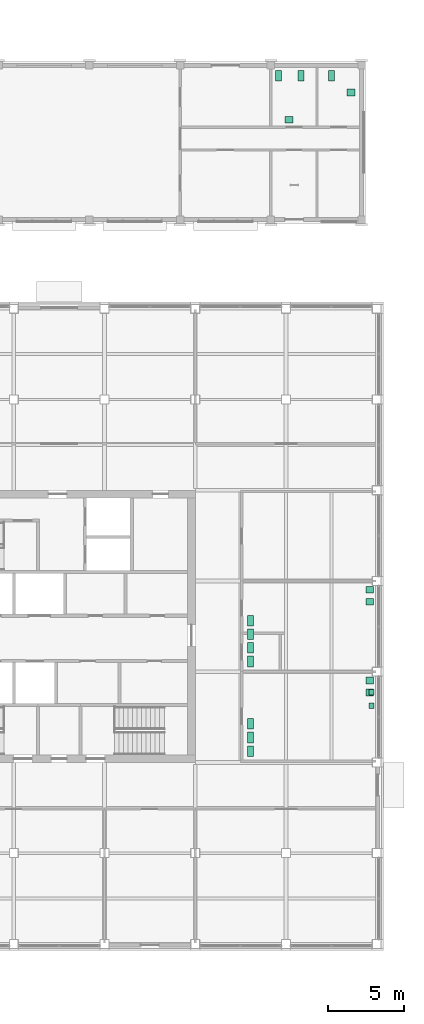
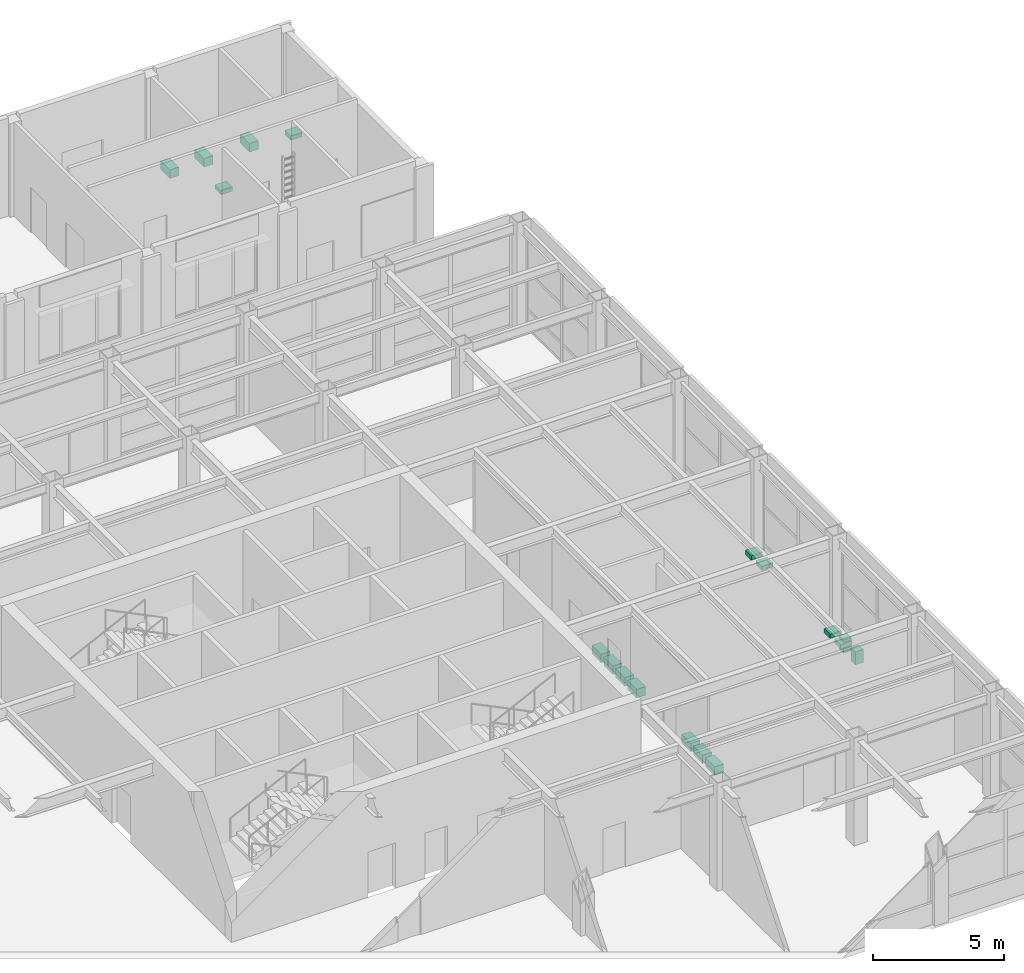
# One storey, part 76 of 77: 18 sanitary terminals.
"""IFC4 building model written with IfcOpenShell, lengths in metres."""

from ifc_helpers import new_model, si_unit, direction, frame, origin, origin_2d, place, context, subcontext, project, spatial, rectangle, extrude, material, type_object, element, save


model = new_model("IFC4")

# Units and contexts
model_context = context("Model", 3, precision=1e-05, world=origin(), true_north=direction((0.0, 1.0)))
body_context = subcontext(model_context, "Body", "Model", "MODEL_VIEW")
ifc_project = project(units=[si_unit("LENGTHUNIT", "METRE"), si_unit("AREAUNIT", "SQUARE_METRE"), si_unit("VOLUMEUNIT", "CUBIC_METRE"), si_unit("PLANEANGLEUNIT", "RADIAN"), si_unit("MASSUNIT", "GRAM", prefix="KILO")], contexts=[model_context])

# Site, building, storey
site_placement = place(None, origin())
site = spatial("IfcSite", under=ifc_project, at=site_placement, CompositionType="ELEMENT")
building_placement = place(site_placement, origin())
building = spatial("IfcBuilding", under=site, at=building_placement, Name="Aravalli Gate Trade Fair Centre", CompositionType="ELEMENT")
storey_placement = place(building_placement, origin())
storey = spatial("IfcBuildingStorey", under=building, at=storey_placement, Name="L00", CompositionType="ELEMENT", Elevation=0.0)

# Sanitary terminals
ifc_material = material(Name="Vitreous china")
sanitary_terminal_type_1 = type_object("IfcSanitaryTerminalType", Name="Wing toilet pan", PredefinedType="TOILETPAN", material=ifc_material)
for number, where, z_axis, x_axis, name in (
    (1, (195.5, 148.39990234375, 0.0), (0.0, 0.0, 1.0), (1.0, 0.0, 0.0), "Wing toilet pan PV-WC.1 L00"),
    (2, (197.0, 148.39990234375, 0.0), (0.0, 0.0, 1.0), (1.0, 0.0, 0.0), "Wing toilet pan PV-WC.2 L00"),
    (3, (199.0, 148.39990234375, 0.0), (0.0, 0.0, 1.0), (1.0, 0.0, 0.0), "Wing toilet pan PV-AWC.1 L00"),
    (4, (193.64990234375, 103.75, 0.0), (0.0, 0.0, 1.0), (1.0, 0.0, 0.0), "Wing toilet pan E1.wc1 L00"),
    (5, (193.64990234375, 104.64990234375, 0.0), (0.0, 0.0, 1.0), (1.0, 0.0, 0.0), "Wing toilet pan E1.wc2 L00"),
    (6, (193.64990234375, 105.550048828125, 0.0), (0.0, 0.0, 1.0), (1.0, 0.0, 0.0), "Wing toilet pan E1.wc3 L00"),
    (7, (193.64990234375, 109.675048828125, 0.0), (0.0, 0.0, 1.0), (1.0, 0.0, 0.0), "Wing toilet pan E2.wc1 L00"),
    (8, (193.64990234375, 110.574951171875, 0.0), (0.0, 0.0, 1.0), (1.0, 0.0, 0.0), "Wing toilet pan E2.wc2 L00"),
    (9, (193.64990234375, 111.47509765625, 0.0), (0.0, 0.0, 1.0), (1.0, 0.0, 0.0), "Wing toilet pan E2.wc3 L00"),
    (10, (193.64990234375, 112.375, 0.0), (0.0, 0.0, 1.0), (1.0, 0.0, 0.0), "Wing toilet pan E2.wc4 L00"),
):
    element("IfcSanitaryTerminal", number, at=place(storey_placement, frame(where, z_axis=z_axis, x_axis=x_axis)), inside=storey, type_object=sanitary_terminal_type_1, Name=name, PredefinedType="TOILETPAN", context=body_context, shape_type="SweptSolid", body=[
        extrude(rectangle(XDim=0.39990234375, YDim=0.699951171875, at=origin_2d()), origin(), (0.0, 0.0, 1.0), 0.39990234375),
    ])
sanitary_terminal_type_2 = type_object("IfcSanitaryTerminalType", Name="Wing urinal", PredefinedType="URINAL", material=ifc_material)
for number, where, z_axis, x_axis, name in (
    (11, (201.64990234375, 106.75, 0.39990234375), (0.0, 0.0, 1.0), (1.0, 0.0, 0.0), "Wing urinal E1.ur1 L00"),
    (12, (201.64990234375, 107.64990234375, 0.39990234375), (0.0, 0.0, 1.0), (1.0, 0.0, 0.0), "Wing urinal E1.ur2 L00"),
):
    element("IfcSanitaryTerminal", number, at=place(storey_placement, frame(where, z_axis=z_axis, x_axis=x_axis)), inside=storey, type_object=sanitary_terminal_type_2, Name=name, PredefinedType="URINAL", context=body_context, shape_type="SweptSolid", body=[
        extrude(rectangle(XDim=0.35009765625, YDim=0.35009765625, at=origin_2d()), origin(), (0.0, 0.0, 1.0), 0.60009765625),
    ])
sanitary_terminal_type_3 = type_object("IfcSanitaryTerminalType", Name="Wing wash hand basin", PredefinedType="WASHHANDBASIN", material=ifc_material)
for number, where, z_axis, x_axis, name in (
    (13, (196.199951171875, 145.5, 0.7001953125), (0.0, 0.0, 1.0), (1.0, 0.0, 0.0), "Wing wash hand basin PV-WC.b L00"),
    (14, (200.300048828125, 147.300048828125, 0.7001953125), (0.0, 0.0, 1.0), (1.0, 0.0, 0.0), "Wing wash hand basin PV-AWC.b L00"),
    (15, (201.550048828125, 108.425048828125, 0.7001953125), (0.0, 0.0, 1.0), (1.0, 0.0, 0.0), "Wing wash hand basin E1.wb1 L00"),
    (16, (201.550048828125, 107.625, 0.7001953125), (0.0, 0.0, 1.0), (1.0, 0.0, 0.0), "Wing wash hand basin E1.wb2 L00"),
    (17, (201.550048828125, 114.425048828125, 0.7001953125), (0.0, 0.0, 1.0), (1.0, 0.0, 0.0), "Wing wash hand basin E2.wb1 L00"),
    (18, (201.550048828125, 113.625, 0.7001953125), (0.0, 0.0, 1.0), (1.0, 0.0, 0.0), "Wing wash hand basin E2.wb2 L00"),
):
    element("IfcSanitaryTerminal", number, at=place(storey_placement, frame(where, z_axis=z_axis, x_axis=x_axis)), inside=storey, type_object=sanitary_terminal_type_3, Name=name, PredefinedType="WASHHANDBASIN", context=body_context, shape_type="SweptSolid", body=[
        extrude(rectangle(XDim=0.5, YDim=0.449951171875, at=origin_2d()), origin(), (0.0, 0.0, 1.0), 0.199951171875),
    ])

save(model, "model.ifc")
